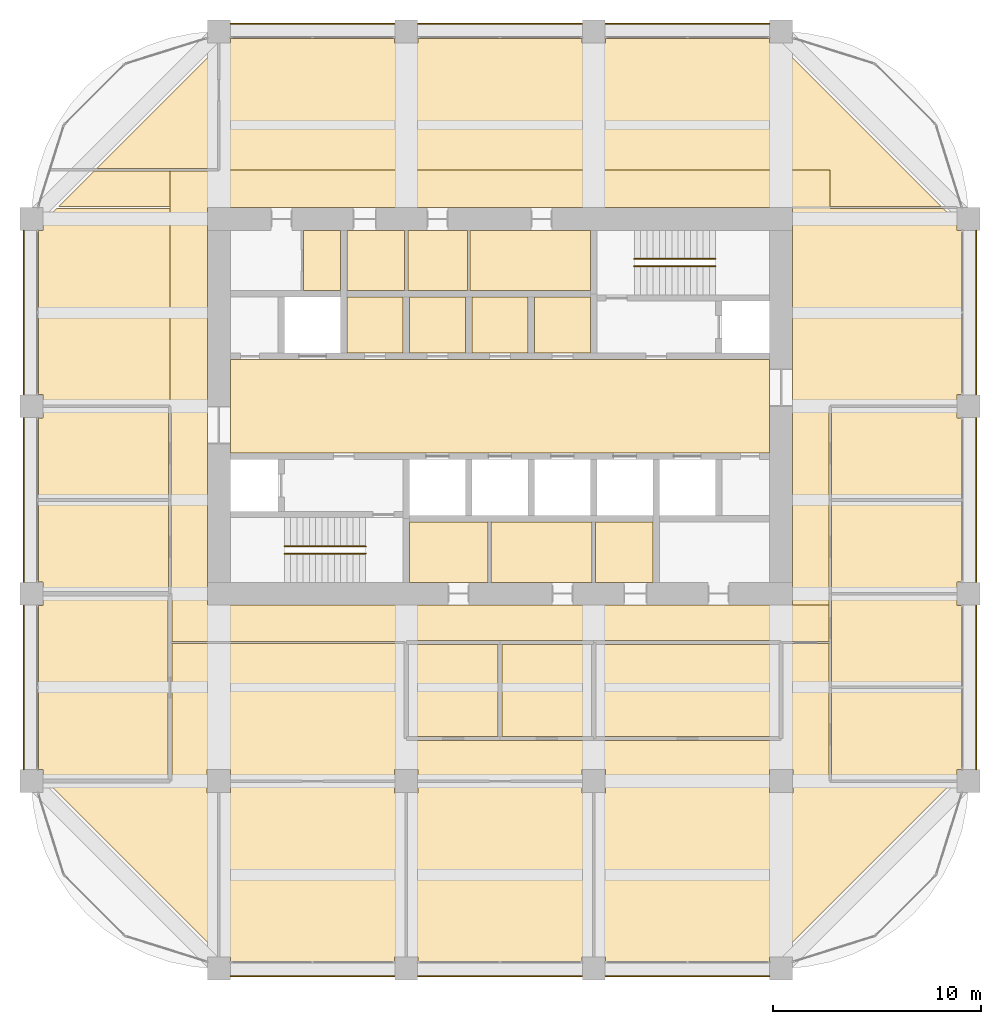
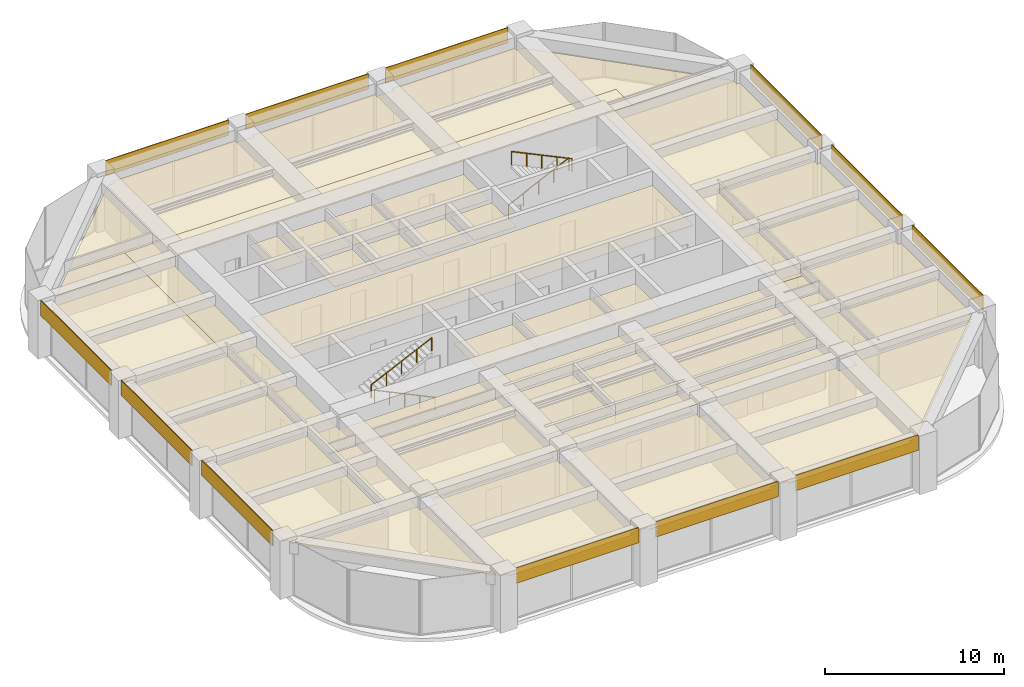
# One storey, part 44 of 44: 43 coverings, 4 railings.
"""IFC4 building model written with IfcOpenShell, lengths in metres."""

import ifcopenshell
import ifcopenshell.guid

model = None  # the IFC model being written
_history = None  # IfcOwnerHistory: only IFC2X3 demands one
_inside = {}  # id of a spatial element -> (the spatial element, [elements in it])
_under = {}  # id of a project, library or spatial element -> (it, [spatial elements below it])
_declared = {}  # id of a project -> (the project, [libraries it declares])
_typed = {}  # id of a type object -> (the type object, [elements of that type])
_made_of = {}  # id of a material, layer set ... -> (it, [elements and type objects made of it])


def new_model(schema):
    """Start an empty IFC model of exactly this schema.

    Asked for "IFC4X3", IfcOpenShell would pick the latest addendum, in which some entities
    have other attributes; the version numbers below select the first issue.
    IFC2X3 requires an IfcOwnerHistory on every rooted entity: one is made here for all.
    """
    global model, _history
    if schema == "IFC4X3":
        model = ifcopenshell.file(schema_version=(4, 3, 0, 0))
    else:
        model = ifcopenshell.file(schema=schema)
    _inside.clear()
    _under.clear()
    _declared.clear()
    _typed.clear()
    _made_of.clear()
    _history = None
    if model.schema == "IFC2X3":
        org = make("IfcOrganization", Name="unknown")
        user = make(
            "IfcPersonAndOrganization",
            ThePerson=make("IfcPerson", FamilyName="unknown"),
            TheOrganization=org,
        )
        app = make(
            "IfcApplication",
            ApplicationDeveloper=org,
            Version="unknown",
            ApplicationFullName="unknown",
            ApplicationIdentifier="unknown",
        )
        _history = make(
            "IfcOwnerHistory",
            OwningUser=user,
            OwningApplication=app,
            ChangeAction="ADDED",
            CreationDate=0,
        )
    return model


def make(cls, **values):
    """One entity of the class cls with the attributes given. An attribute that is None is left unset."""
    return model.create_entity(
        cls, **{name: value for name, value in values.items() if value is not None}
    )


def rooted(cls, **values):
    """An entity with a GlobalId (a new one), such as an element, a storey or a relation."""
    return make(cls, GlobalId=ifcopenshell.guid.new(), OwnerHistory=_history, **values)


def si_unit(unit_type, name, prefix=None):
    """IfcSIUnit, for example si_unit("LENGTHUNIT", "METRE", prefix="MILLI")."""
    return make("IfcSIUnit", UnitType=unit_type, Prefix=prefix, Name=name)


def assignment(units):
    """IfcUnitAssignment: the units of a project."""
    return None if units is None else make("IfcUnitAssignment", Units=units)


def point(xyz):
    """IfcCartesianPoint."""
    return None if xyz is None else make("IfcCartesianPoint", Coordinates=xyz)


def direction(xyz):
    """IfcDirection."""
    return None if xyz is None else make("IfcDirection", DirectionRatios=xyz)


def frame(location, z_axis=None, x_axis=None):
    """IfcAxis2Placement3D, a coordinate frame: its origin and axes. An axis left out is left unset."""
    return make(
        "IfcAxis2Placement3D",
        Location=point(location),
        Axis=direction(z_axis),
        RefDirection=direction(x_axis),
    )


def frame_2d(location, x_axis=None):
    """IfcAxis2Placement2D, a coordinate frame in the plane: its origin and x axis."""
    return make(
        "IfcAxis2Placement2D", Location=point(location), RefDirection=direction(x_axis)
    )


def origin():
    """The frame at (0, 0, 0) with its axes left unset."""
    return frame((0.0, 0.0, 0.0))


def origin_2d():
    """The frame at (0, 0) in the plane with its x axis left unset."""
    return frame_2d((0.0, 0.0))


def place(relative_to, where):
    """IfcLocalPlacement: puts the frame where relative to a parent placement (None: the world)."""
    return make(
        "IfcLocalPlacement", PlacementRelTo=relative_to, RelativePlacement=where
    )


def context(
    kind, dimensions, precision=None, world=None, true_north=None, identifier=None
):
    """IfcGeometricRepresentationContext, for example the 3D "Model" context."""
    return make(
        "IfcGeometricRepresentationContext",
        ContextIdentifier=identifier,
        ContextType=kind,
        CoordinateSpaceDimension=dimensions,
        Precision=precision,
        WorldCoordinateSystem=world,
        TrueNorth=true_north,
    )


def subcontext(parent, identifier, kind, view, scale=None):
    """IfcGeometricRepresentationSubContext, for example "Body" below "Model"."""
    return make(
        "IfcGeometricRepresentationSubContext",
        ContextIdentifier=identifier,
        ContextType=kind,
        ParentContext=parent,
        TargetScale=scale,
        TargetView=view,
    )


def project(units=None, contexts=None):
    """IfcProject with its units and contexts."""
    return rooted(
        "IfcProject",
        Name="project",
        RepresentationContexts=contexts,
        UnitsInContext=assignment(units),
    )


def spatial(cls, under=None, at=None, **own):
    """A site, building, storey or space (cls), placed at a placement, below another one or the project."""
    s = rooted(cls, ObjectPlacement=at, **own)
    if under is not None:
        _under.setdefault(under.id(), (under, []))[1].append(s)
    return s


def polyline(points):
    """IfcPolyline through the points."""
    return make("IfcPolyline", Points=[point(p) for p in points])


def profile(cls, at=None, kind="AREA", **sizes):
    """A parametric profile (cls). Its sizes go by their IFC names, for example OverallWidth=200.0."""
    return make(cls, ProfileType=kind, Position=at, **sizes)


def rectangle(**sizes):
    """IfcRectangleProfileDef."""
    return profile("IfcRectangleProfileDef", **sizes)


def circle(**sizes):
    """IfcCircleProfileDef."""
    return profile("IfcCircleProfileDef", **sizes)


def outline(outer, holes=None, kind="AREA"):
    """IfcArbitraryClosedProfileDef: a profile drawn as a closed curve; with holes, ...WithVoids."""
    if holes is None:
        return make("IfcArbitraryClosedProfileDef", ProfileType=kind, OuterCurve=outer)
    return make(
        "IfcArbitraryProfileDefWithVoids",
        ProfileType=kind,
        OuterCurve=outer,
        InnerCurves=holes,
    )


def extrude(swept, where, along, depth):
    """IfcExtrudedAreaSolid: the profile swept, set in the frame where, extruded along a direction by depth."""
    return make(
        "IfcExtrudedAreaSolid",
        SweptArea=swept,
        Position=where,
        ExtrudedDirection=direction(along),
        Depth=depth,
    )


def shape(context_of_items, identifier, shape_type, items):
    """IfcShapeRepresentation: the items that make up one representation, for example the "Body"."""
    return make(
        "IfcShapeRepresentation",
        ContextOfItems=context_of_items,
        RepresentationIdentifier=identifier,
        RepresentationType=shape_type,
        Items=items,
    )


def material(Name=None, Category=None):
    """IfcMaterial."""
    return make("IfcMaterial", Name=Name, Category=Category)


def layer(
    of_material, thickness, ventilated=None, Name=None, Category=None, Priority=None
):
    """IfcMaterialLayer: one layer of a wall or slab, of a material (None: an air gap)."""
    return make(
        "IfcMaterialLayer",
        Material=of_material,
        LayerThickness=thickness,
        IsVentilated=ventilated,
        Name=Name,
        Category=Category,
        Priority=Priority,
    )


def layer_set(layers, Name=None):
    """IfcMaterialLayerSet."""
    return make("IfcMaterialLayerSet", MaterialLayers=layers, LayerSetName=Name)


def made_of(thing, what):
    """Note that an element or type object is made of a material, layer set ...; save() writes the relation."""
    if what is not None:
        _made_of.setdefault(what.id(), (what, []))[1].append(thing)
    return thing


def type_object(cls, material=None, **own):
    """A type object (cls), such as IfcWallType, which elements share."""
    return made_of(rooted(cls, **own), material)


def element(
    cls,
    number,
    at=None,
    inside=None,
    cuts=None,
    type_object=None,
    material=None,
    context=None,
    identifier="Body",
    shape_type=None,
    held_by="IfcProductDefinitionShape",
    body=None,
    shapes=None,
    **own,
):
    """One element of the class cls, such as IfcWall. Its Tag is "e" and its number.

    at: its placement. inside: the storey or other place that contains it. cuts: it is an
    opening in that element (IfcRelVoidsElement). A single representation is given by context,
    identifier, shape_type and body (its items); several are given by shapes. held_by: the class
    of the entity that holds the representations. save() writes the other relations.
    """
    e = rooted(cls, Tag="e%d" % number, ObjectPlacement=at, **own)
    if body is not None:
        shapes = [shape(context, identifier, shape_type, body)]
    if shapes is not None:
        e.Representation = make(held_by, Representations=shapes)
    if inside is not None:
        _inside.setdefault(inside.id(), (inside, []))[1].append(e)
    if cuts is not None:
        rooted(
            "IfcRelVoidsElement", RelatingBuildingElement=cuts, RelatedOpeningElement=e
        )
    if type_object is not None:
        _typed.setdefault(type_object.id(), (type_object, []))[1].append(e)
    return made_of(e, material)


def aggregate(whole, parts):
    """IfcRelAggregates: a whole, such as a stair, and the parts it consists of."""
    return rooted("IfcRelAggregates", RelatingObject=whole, RelatedObjects=parts)


def save(model, path):
    """Write the relations noted so far, then the file.

    IfcRelAggregates (storeys below a building ...), IfcRelContainedInSpatialStructure (elements
    in a storey), IfcRelDefinesByType, IfcRelAssociatesMaterial and IfcRelDeclares: one each for
    every whole, place, type object, material and project.
    """
    for whole, parts in _under.values():
        aggregate(whole, parts)
    for where, things in _inside.values():
        rooted(
            "IfcRelContainedInSpatialStructure",
            RelatedElements=things,
            RelatingStructure=where,
        )
    for kind, things in _typed.values():
        rooted("IfcRelDefinesByType", RelatedObjects=things, RelatingType=kind)
    for what, things in _made_of.values():
        rooted("IfcRelAssociatesMaterial", RelatedObjects=things, RelatingMaterial=what)
    for by, libraries in _declared.values():
        rooted("IfcRelDeclares", RelatingContext=by, RelatedDefinitions=libraries)
    model.write(path)


model = new_model("IFC4")

# Units and contexts
model_context = context("Model", 3, precision=1e-05, world=origin(), true_north=direction((0.0, 1.0)))
body_context = subcontext(model_context, "Body", "Model", "MODEL_VIEW")
ifc_project = project(units=[si_unit("LENGTHUNIT", "METRE"), si_unit("AREAUNIT", "SQUARE_METRE"), si_unit("VOLUMEUNIT", "CUBIC_METRE"), si_unit("PLANEANGLEUNIT", "RADIAN"), si_unit("MASSUNIT", "GRAM", prefix="KILO")], contexts=[model_context])

# Site, building, storey
site_placement = place(None, origin())
site = spatial("IfcSite", under=ifc_project, at=site_placement, CompositionType="ELEMENT")
building_placement = place(site_placement, origin())
building = spatial("IfcBuilding", under=site, at=building_placement, Name="Zorevar Civic Tower", CompositionType="ELEMENT")
storey_placement = place(building_placement, frame((0.0, 0.0, 263.39990234375)))
storey = spatial("IfcBuildingStorey", under=building, at=storey_placement, Name="L64", CompositionType="ELEMENT", Elevation=263.39990234375)

# Railings
ifc_material_1 = material(Name="Black steel handrail", Category="steel")
railing_type = type_object("IfcRailingType", Name="Handrail HR1 900", PredefinedType="HANDRAIL", material=ifc_material_1)
railing_1_placement = place(storey_placement, frame((25.050048828125, 19.925048828125, 0.14306640625)))
element("IfcRailing", 1, at=railing_1_placement, inside=storey, type_object=railing_type, Name="Handrail HR1 ST1 L64", PredefinedType="HANDRAIL", context=body_context, shape_type="SweptSolid", body=[
    extrude(circle(Radius=0.02392578125, at=origin_2d()), frame((0.0, 0.0, 0.8759765625), z_axis=(-0.902885590262, 0.0, 0.429880926418), x_axis=(0.0, -1.0, 0.0)), (0.0, 0.0, 1.0), 4.319580078125),
    extrude(circle(Radius=0.02099609375, at=origin_2d()), origin(), (0.0, 0.0, 1.0), 0.851806640625),
    extrude(circle(Radius=0.02099609375, at=origin_2d()), frame((-0.97509765625, 0.0, 0.46435546875)), (0.0, 0.0, 1.0), 0.851806640625),
    extrude(circle(Radius=0.02099609375, at=origin_2d()), frame((-1.9501953125, 0.0, 0.928466796875)), (0.0, 0.0, 1.0), 0.851806640625),
    extrude(circle(Radius=0.02099609375, at=origin_2d()), frame((-2.925048828125, 0.0, 1.392578125)), (0.0, 0.0, 1.0), 0.851806640625),
    extrude(circle(Radius=0.02099609375, at=origin_2d()), frame((-3.900146484375, 0.0, 1.85693359375)), (0.0, 0.0, 1.0), 0.851806640625),
])
for number, where, name in (
    (2, (21.14990234375, 20.27490234375, 2.14306640625), "Handrail HR1 ST1 L64"),
    (3, (37.949951171875, 34.074951171875, 0.14306640625), "Handrail HR1 ST2 L64"),
):
    element("IfcRailing", number, at=place(storey_placement, frame(where)), inside=storey, type_object=railing_type, Name=name, PredefinedType="HANDRAIL", context=body_context, shape_type="SweptSolid", body=[
        extrude(circle(Radius=0.02392578125, at=origin_2d()), frame((0.0, 0.0, 0.8759765625), z_axis=(0.902885590262, 0.0, 0.429880926418), x_axis=(0.0, 1.0, 0.0)), (0.0, 0.0, 1.0), 4.319580078125),
        extrude(circle(Radius=0.02099609375, at=origin_2d()), origin(), (0.0, 0.0, 1.0), 0.851806640625),
        extrude(circle(Radius=0.02099609375, at=origin_2d()), frame((0.97509765625, 0.0, 0.46435546875)), (0.0, 0.0, 1.0), 0.851806640625),
        extrude(circle(Radius=0.02099609375, at=origin_2d()), frame((1.9501953125, 0.0, 0.928466796875)), (0.0, 0.0, 1.0), 0.851806640625),
        extrude(circle(Radius=0.02099609375, at=origin_2d()), frame((2.925048828125, 0.0, 1.392578125)), (0.0, 0.0, 1.0), 0.851806640625),
        extrude(circle(Radius=0.02099609375, at=origin_2d()), frame((3.900146484375, 0.0, 1.85693359375)), (0.0, 0.0, 1.0), 0.851806640625),
    ])
railing_2_placement = place(storey_placement, frame((41.85009765625, 33.72509765625, 2.14306640625)))
element("IfcRailing", 4, at=railing_2_placement, inside=storey, type_object=railing_type, Name="Handrail HR1 ST2 L64", PredefinedType="HANDRAIL", context=body_context, shape_type="SweptSolid", body=[
    extrude(circle(Radius=0.02392578125, at=origin_2d()), frame((0.0, 0.0, 0.8759765625), z_axis=(-0.902885590262, 0.0, 0.429880926418), x_axis=(0.0, -1.0, 0.0)), (0.0, 0.0, 1.0), 4.319580078125),
    extrude(circle(Radius=0.02099609375, at=origin_2d()), origin(), (0.0, 0.0, 1.0), 0.851806640625),
    extrude(circle(Radius=0.02099609375, at=origin_2d()), frame((-0.97509765625, 0.0, 0.46435546875)), (0.0, 0.0, 1.0), 0.851806640625),
    extrude(circle(Radius=0.02099609375, at=origin_2d()), frame((-1.9501953125, 0.0, 0.928466796875)), (0.0, 0.0, 1.0), 0.851806640625),
    extrude(circle(Radius=0.02099609375, at=origin_2d()), frame((-2.925048828125, 0.0, 1.392578125)), (0.0, 0.0, 1.0), 0.851806640625),
    extrude(circle(Radius=0.02099609375, at=origin_2d()), frame((-3.900146484375, 0.0, 1.85693359375)), (0.0, 0.0, 1.0), 0.851806640625),
])

# Coverings
ifc_material_2 = material(Name="Moisture-resistant gypsum board")
ifc_layer_1 = layer(ifc_material_2, 0.012451171875)
ifc_layer_set_1 = layer_set([ifc_layer_1], Name="Moisture-resistant ceiling SC3")
covering_type_1 = type_object("IfcCoveringType", Name="Moisture-resistant ceiling SC3", PredefinedType="CEILING", material=ifc_layer_set_1)
covering_1_placement = place(storey_placement, frame((0.0, 0.0, 3.0)))
element("IfcCovering", 5, at=covering_1_placement, inside=storey, type_object=covering_type_1, Name="Ceiling L64-05", PredefinedType="CEILING", context=body_context, shape_type="SweptSolid", body=[
    extrude(outline(polyline([(30.925048828125, 18.550048828125), (30.925048828125, 21.449951171875), (27.14990234375, 21.449951171875), (27.14990234375, 18.550048828125), (30.925048828125, 18.550048828125)])), origin(), (0.0, 0.0, 1.0), 0.0126953125),
])
covering_2_placement = place(storey_placement, frame((0.0, 0.0, 3.0)))
element("IfcCovering", 6, at=covering_2_placement, inside=storey, type_object=covering_type_1, Name="Ceiling L64-06", PredefinedType="CEILING", context=body_context, shape_type="SweptSolid", body=[
    extrude(outline(polyline([(35.925048828125, 18.550048828125), (35.925048828125, 21.449951171875), (31.074951171875, 21.449951171875), (31.074951171875, 18.550048828125), (35.925048828125, 18.550048828125)])), origin(), (0.0, 0.0, 1.0), 0.0126953125),
])
covering_3_placement = place(storey_placement, frame((0.0, 0.0, 3.0)))
element("IfcCovering", 7, at=covering_3_placement, inside=storey, type_object=covering_type_1, Name="Ceiling L64-07", PredefinedType="CEILING", context=body_context, shape_type="SweptSolid", body=[
    extrude(outline(polyline([(38.85009765625, 18.550048828125), (38.85009765625, 21.449951171875), (36.074951171875, 21.449951171875), (36.074951171875, 18.550048828125), (38.85009765625, 18.550048828125)])), origin(), (0.0, 0.0, 1.0), 0.0126953125),
])
covering_4_placement = place(storey_placement, frame((0.0, 0.0, 3.0)))
element("IfcCovering", 8, at=covering_4_placement, inside=storey, type_object=covering_type_1, Name="Ceiling L64-10", PredefinedType="CEILING", context=body_context, shape_type="SweptSolid", body=[
    extrude(outline(polyline([(26.925048828125, 32.550048828125), (26.925048828125, 35.449951171875), (24.14990234375, 35.449951171875), (24.14990234375, 32.550048828125), (26.925048828125, 32.550048828125)])), origin(), (0.0, 0.0, 1.0), 0.0126953125),
])
ifc_material_3 = material(Name="Black anodised aluminium spandrel panel", Category="aluminium")
ifc_layer_2 = layer(ifc_material_3, 0.050048828125)
ifc_layer_set_2 = layer_set([ifc_layer_2], Name="Spandrel cladding SP1")
covering_type_2 = type_object("IfcCoveringType", Name="Spandrel cladding SP1", PredefinedType="CLADDING", material=ifc_layer_set_2)
for number, where, z_axis, x_axis, name in (
    (9, (18.550048828125, -0.375, 2.9501953125), (0.0, 0.0, 1.0), (1.0, 0.0, 0.0), "Spandrel cladding L65"),
    (10, (27.550048828125, -0.375, 2.9501953125), (0.0, 0.0, 1.0), (1.0, 0.0, 0.0), "Spandrel cladding L65"),
    (11, (36.550048828125, -0.375, 2.9501953125), (0.0, 0.0, 1.0), (1.0, 0.0, 0.0), "Spandrel cladding L65"),
    (12, (18.550048828125, 45.375, 2.9501953125), (0.0, 0.0, 1.0), (1.0, 0.0, 0.0), "Spandrel cladding L65"),
    (13, (27.550048828125, 45.375, 2.9501953125), (0.0, 0.0, 1.0), (1.0, 0.0, 0.0), "Spandrel cladding L65"),
    (14, (36.550048828125, 45.375, 2.9501953125), (0.0, 0.0, 1.0), (1.0, 0.0, 0.0), "Spandrel cladding L65"),
    (15, (8.625, 9.550048828125, 2.9501953125), (0.0, 0.0, 1.0), (0.0, 1.0, 0.0), "Spandrel cladding L65"),
    (16, (8.625, 18.550048828125, 2.9501953125), (0.0, 0.0, 1.0), (0.0, 1.0, 0.0), "Spandrel cladding L65"),
    (17, (8.625, 27.550048828125, 2.9501953125), (0.0, 0.0, 1.0), (0.0, 1.0, 0.0), "Spandrel cladding L65"),
    (18, (54.375, 9.550048828125, 2.9501953125), (0.0, 0.0, 1.0), (0.0, 1.0, 0.0), "Spandrel cladding L65"),
    (19, (54.375, 18.550048828125, 2.9501953125), (0.0, 0.0, 1.0), (0.0, 1.0, 0.0), "Spandrel cladding L65"),
    (20, (54.375, 27.550048828125, 2.9501953125), (0.0, 0.0, 1.0), (0.0, 1.0, 0.0), "Spandrel cladding L65"),
):
    element("IfcCovering", number, at=place(storey_placement, frame(where, z_axis=z_axis, x_axis=x_axis)), inside=storey, type_object=covering_type_2, Name=name, PredefinedType="CLADDING", context=body_context, shape_type="SweptSolid", body=[
        extrude(rectangle(XDim=7.89990234375, YDim=0.050048828125, at=frame_2d((3.949951171875, 0.0))), origin(), (0.0, 0.0, 1.0), 1.0498046875),
    ])
ifc_material_4 = material(Name="Mineral fibre tiles on a concealed grid")
ifc_layer_3 = layer(ifc_material_4, 0.02001953125)
ifc_layer_set_3 = layer_set([ifc_layer_3], Name="Suspended ceiling SC1")
covering_type_3 = type_object("IfcCoveringType", Name="Suspended ceiling SC1", PredefinedType="CEILING", material=ifc_layer_set_3)
covering_5_placement = place(storey_placement, frame((0.0, 0.0, 3.0)))
element("IfcCovering", 21, at=covering_5_placement, inside=storey, type_object=covering_type_3, Name="Ceiling L64-08", PredefinedType="CEILING", context=body_context, shape_type="SweptSolid", body=[
    extrude(outline(polyline([(35.85009765625, 32.550048828125), (35.85009765625, 35.449951171875), (30.06005859375, 35.449951171875), (30.06005859375, 32.550048828125), (35.85009765625, 32.550048828125)])), origin(), (0.0, 0.0, 1.0), 0.02001953125),
])
covering_6_placement = place(storey_placement, frame((0.0, 0.0, 3.0)))
element("IfcCovering", 22, at=covering_6_placement, inside=storey, type_object=covering_type_3, Name="Ceiling L64-09", PredefinedType="CEILING", context=body_context, shape_type="SweptSolid", body=[
    extrude(outline(polyline([(29.93994140625, 32.550048828125), (29.93994140625, 35.449951171875), (27.074951171875, 35.449951171875), (27.074951171875, 32.550048828125), (29.93994140625, 32.550048828125)])), origin(), (0.0, 0.0, 1.0), 0.02001953125),
])
covering_7_placement = place(storey_placement, frame((0.0, 0.0, 3.0)))
element("IfcCovering", 23, at=covering_7_placement, inside=storey, type_object=covering_type_3, Name="Ceiling L64-12", PredefinedType="CEILING", context=body_context, shape_type="SweptSolid", body=[
    extrude(outline(polyline([(23.85009765625, 32.550048828125), (23.85009765625, 35.449951171875), (22.06005859375, 35.449951171875), (22.06005859375, 32.550048828125), (23.85009765625, 32.550048828125)])), origin(), (0.0, 0.0, 1.0), 0.02001953125),
])
covering_8_placement = place(storey_placement, frame((0.0, 0.0, 3.0)))
element("IfcCovering", 24, at=covering_8_placement, inside=storey, type_object=covering_type_3, Name="Ceiling L64-16", PredefinedType="CEILING", context=body_context, shape_type="SweptSolid", body=[
    extrude(outline(polyline([(44.449951171875, 24.75), (44.449951171875, 29.25), (18.550048828125, 29.25), (18.550048828125, 24.75), (44.449951171875, 24.75)])), origin(), (0.0, 0.0, 1.0), 0.02001953125),
])
covering_9_placement = place(storey_placement, frame((0.0, 0.0, 3.0)))
element("IfcCovering", 25, at=covering_9_placement, inside=storey, type_object=covering_type_3, Name="Ceiling L64-17", PredefinedType="CEILING", context=body_context, shape_type="SweptSolid", body=[
    extrude(outline(polyline([(35.85009765625, 29.550048828125), (35.85009765625, 32.25), (33.14990234375, 32.25), (33.14990234375, 29.550048828125), (35.85009765625, 29.550048828125)])), origin(), (0.0, 0.0, 1.0), 0.02001953125),
])
covering_10_placement = place(storey_placement, frame((0.0, 0.0, 3.0)))
element("IfcCovering", 26, at=covering_10_placement, inside=storey, type_object=covering_type_3, Name="Ceiling L64-18", PredefinedType="CEILING", context=body_context, shape_type="SweptSolid", body=[
    extrude(outline(polyline([(32.85009765625, 29.550048828125), (32.85009765625, 32.25), (30.14990234375, 32.25), (30.14990234375, 29.550048828125), (32.85009765625, 29.550048828125)])), origin(), (0.0, 0.0, 1.0), 0.02001953125),
])
covering_11_placement = place(storey_placement, frame((0.0, 0.0, 3.0)))
element("IfcCovering", 27, at=covering_11_placement, inside=storey, type_object=covering_type_3, Name="Ceiling L64-19", PredefinedType="CEILING", context=body_context, shape_type="SweptSolid", body=[
    extrude(outline(polyline([(29.85009765625, 29.550048828125), (29.85009765625, 32.25), (27.14990234375, 32.25), (27.14990234375, 29.550048828125), (29.85009765625, 29.550048828125)])), origin(), (0.0, 0.0, 1.0), 0.02001953125),
])
covering_12_placement = place(storey_placement, frame((0.0, 0.0, 3.0)))
element("IfcCovering", 28, at=covering_12_placement, inside=storey, type_object=covering_type_3, Name="Ceiling L64-20", PredefinedType="CEILING", context=body_context, shape_type="SweptSolid", body=[
    extrude(outline(polyline([(26.85009765625, 29.550048828125), (26.85009765625, 32.25), (24.14990234375, 32.25), (24.14990234375, 29.550048828125), (26.85009765625, 29.550048828125)])), origin(), (0.0, 0.0, 1.0), 0.02001953125),
])
covering_13_placement = place(storey_placement, frame((0.0, 0.0, 3.0)))
element("IfcCovering", 29, at=covering_13_placement, inside=storey, type_object=covering_type_3, Name="Ceiling L64-21", PredefinedType="CEILING", context=body_context, shape_type="SweptSolid", body=[
    extrude(outline(polyline([(18.06005859375, 8.43994140625), (18.56005859375, 8.43994140625), (18.56005859375, 8.93994140625), (26.43994140625, 8.93994140625), (26.43994140625, 8.43994140625), (26.93994140625, 8.43994140625), (26.93994140625, 0.56005859375), (26.43994140625, 0.56005859375), (26.43994140625, 0.35009765625), (18.56005859375, 0.35009765625), (18.56005859375, 0.56005859375), (18.147216796875, 0.56005859375), (18.06005859375, 0.647216796875), (18.06005859375, 8.43994140625)])), origin(), (0.0, 0.0, 1.0), 0.02001953125),
])
covering_14_placement = place(storey_placement, frame((0.0, 0.0, 3.0)))
element("IfcCovering", 30, at=covering_14_placement, inside=storey, type_object=covering_type_3, Name="Ceiling L64-22", PredefinedType="CEILING", context=body_context, shape_type="SweptSolid", body=[
    extrude(outline(polyline([(27.06005859375, 0.56005859375), (27.06005859375, 8.43994140625), (27.56005859375, 8.43994140625), (27.56005859375, 8.93994140625), (35.43994140625, 8.93994140625), (35.43994140625, 8.43994140625), (35.93994140625, 8.43994140625), (35.93994140625, 0.56005859375), (35.43994140625, 0.56005859375), (35.43994140625, 0.35009765625), (27.56005859375, 0.35009765625), (27.56005859375, 0.56005859375), (27.06005859375, 0.56005859375)])), origin(), (0.0, 0.0, 1.0), 0.02001953125),
])
covering_15_placement = place(storey_placement, frame((0.0, 0.0, 3.0)))
element("IfcCovering", 31, at=covering_15_placement, inside=storey, type_object=covering_type_3, Name="Ceiling L64-23", PredefinedType="CEILING", context=body_context, shape_type="SweptSolid", body=[
    extrude(outline(polyline([(36.10009765625, 11.14990234375), (36.10009765625, 15.550048828125), (44.89990234375, 15.550048828125), (44.89990234375, 11.14990234375), (36.10009765625, 11.14990234375)])), origin(), (0.0, 0.0, 1.0), 0.02001953125),
])
covering_16_placement = place(storey_placement, frame((0.0, 0.0, 3.0)))
element("IfcCovering", 32, at=covering_16_placement, inside=storey, type_object=covering_type_3, Name="Ceiling L64-24", PredefinedType="CEILING", context=body_context, shape_type="SweptSolid", body=[
    extrude(outline(polyline([(27.10009765625, 11.14990234375), (27.10009765625, 15.550048828125), (31.39990234375, 15.550048828125), (31.39990234375, 11.14990234375), (27.10009765625, 11.14990234375)])), origin(), (0.0, 0.0, 1.0), 0.02001953125),
])
covering_17_placement = place(storey_placement, frame((0.0, 0.0, 3.0)))
element("IfcCovering", 33, at=covering_17_placement, inside=storey, type_object=covering_type_3, Name="Ceiling L64-25", PredefinedType="CEILING", context=body_context, shape_type="SweptSolid", body=[
    extrude(outline(polyline([(31.60009765625, 15.550048828125), (35.89990234375, 15.550048828125), (35.89990234375, 11.14990234375), (31.60009765625, 11.14990234375), (31.60009765625, 15.550048828125)])), origin(), (0.0, 0.0, 1.0), 0.02001953125),
])
covering_18_placement = place(storey_placement, frame((0.0, 0.0, 3.0)))
element("IfcCovering", 34, at=covering_18_placement, inside=storey, type_object=covering_type_3, Name="Ceiling L64-26", PredefinedType="CEILING", context=body_context, shape_type="SweptSolid", body=[
    extrude(outline(polyline([(9.35009765625, 9.56005859375), (9.35009765625, 17.43994140625), (9.56005859375, 17.43994140625), (9.56005859375, 17.89990234375), (15.550048828125, 17.89990234375), (15.550048828125, 9.10009765625), (9.607177734375, 9.10009765625), (9.56005859375, 9.147216796875), (9.56005859375, 9.56005859375), (9.35009765625, 9.56005859375)])), origin(), (0.0, 0.0, 1.0), 0.02001953125),
])
covering_19_placement = place(storey_placement, frame((0.0, 0.0, 3.0)))
element("IfcCovering", 35, at=covering_19_placement, inside=storey, type_object=covering_type_3, Name="Ceiling L64-27", PredefinedType="CEILING", context=body_context, shape_type="SweptSolid", body=[
    extrude(outline(polyline([(15.590087890625, 18.10009765625), (9.56005859375, 18.10009765625), (9.56005859375, 18.56005859375), (9.35009765625, 18.56005859375), (9.35009765625, 22.43994140625), (15.590087890625, 22.43994140625), (15.590087890625, 18.10009765625)])), origin(), (0.0, 0.0, 1.0), 0.02001953125),
])
covering_20_placement = place(storey_placement, frame((0.0, 0.0, 3.0)))
element("IfcCovering", 36, at=covering_20_placement, inside=storey, type_object=covering_type_3, Name="Ceiling L64-28", PredefinedType="CEILING", context=body_context, shape_type="SweptSolid", body=[
    extrude(outline(polyline([(15.590087890625, 22.56005859375), (9.35009765625, 22.56005859375), (9.35009765625, 26.43994140625), (9.56005859375, 26.43994140625), (9.56005859375, 26.93994140625), (15.590087890625, 26.93994140625), (15.590087890625, 22.56005859375)])), origin(), (0.0, 0.0, 1.0), 0.02001953125),
])
covering_21_placement = place(storey_placement, frame((0.0, 0.0, 3.0)))
element("IfcCovering", 37, at=covering_21_placement, inside=storey, type_object=covering_type_3, Name="Ceiling L64-29", PredefinedType="CEILING", context=body_context, shape_type="SweptSolid", body=[
    extrude(outline(polyline([(53.64990234375, 13.43994140625), (53.64990234375, 9.56005859375), (53.43994140625, 9.56005859375), (53.43994140625, 9.147216796875), (53.352783203125, 9.06005859375), (47.409912109375, 9.06005859375), (47.409912109375, 13.43994140625), (53.64990234375, 13.43994140625)])), origin(), (0.0, 0.0, 1.0), 0.02001953125),
])
covering_22_placement = place(storey_placement, frame((0.0, 0.0, 3.0)))
element("IfcCovering", 38, at=covering_22_placement, inside=storey, type_object=covering_type_3, Name="Ceiling L64-30", PredefinedType="CEILING", context=body_context, shape_type="SweptSolid", body=[
    extrude(outline(polyline([(47.409912109375, 17.93994140625), (53.43994140625, 17.93994140625), (53.43994140625, 17.43994140625), (53.64990234375, 17.43994140625), (53.64990234375, 13.56005859375), (47.409912109375, 13.56005859375), (47.409912109375, 17.93994140625)])), origin(), (0.0, 0.0, 1.0), 0.02001953125),
])
covering_23_placement = place(storey_placement, frame((0.0, 0.0, 3.0)))
element("IfcCovering", 39, at=covering_23_placement, inside=storey, type_object=covering_type_3, Name="Ceiling L64-31", PredefinedType="CEILING", context=body_context, shape_type="SweptSolid", body=[
    extrude(outline(polyline([(47.409912109375, 22.43994140625), (53.64990234375, 22.43994140625), (53.64990234375, 18.56005859375), (53.43994140625, 18.56005859375), (53.43994140625, 18.06005859375), (47.409912109375, 18.06005859375), (47.409912109375, 22.43994140625)])), origin(), (0.0, 0.0, 1.0), 0.02001953125),
])
covering_24_placement = place(storey_placement, frame((0.0, 0.0, 3.0)))
element("IfcCovering", 40, at=covering_24_placement, inside=storey, type_object=covering_type_3, Name="Ceiling L64-32", PredefinedType="CEILING", context=body_context, shape_type="SweptSolid", body=[
    extrude(outline(polyline([(47.409912109375, 26.93994140625), (53.43994140625, 26.93994140625), (53.43994140625, 26.43994140625), (53.64990234375, 26.43994140625), (53.64990234375, 22.56005859375), (47.409912109375, 22.56005859375), (47.409912109375, 26.93994140625)])), origin(), (0.0, 0.0, 1.0), 0.02001953125),
])
covering_25_placement = place(storey_placement, frame((0.0, 0.0, 3.0)))
element("IfcCovering", 41, at=covering_25_placement, inside=storey, type_object=covering_type_3, Name="Ceiling L64-33", PredefinedType="CEILING", context=body_context, shape_type="SweptSolid", body=[
    extrude(outline(polyline([(17.93994140625, 38.409912109375), (12.1171875, 38.409912109375), (17.93994140625, 44.23291015625), (17.93994140625, 38.409912109375)])), origin(), (0.0, 0.0, 1.0), 0.02001953125),
])
covering_26_placement = place(storey_placement, frame((0.0, 0.0, 3.0)))
element("IfcCovering", 42, at=covering_26_placement, inside=storey, type_object=covering_type_3, Name="Ceiling L64-34", PredefinedType="CEILING", context=body_context, shape_type="SweptSolid", body=[
    extrude(outline(polyline([(15.64990234375, 27.0), (15.64990234375, 38.2900390625), (18.0, 38.2900390625), (18.0, 38.35009765625), (47.35009765625, 38.35009765625), (47.35009765625, 36.550048828125), (17.449951171875, 36.550048828125), (17.449951171875, 17.449951171875), (47.2900390625, 17.449951171875), (47.2900390625, 15.699951171875), (45.050048828125, 15.699951171875), (45.050048828125, 15.64990234375), (45.0, 15.64990234375), (45.0, 15.75), (27.0, 15.75), (27.0, 15.64990234375), (26.949951171875, 15.64990234375), (26.949951171875, 15.699951171875), (15.75, 15.699951171875), (15.75, 18.0), (15.7099609375, 18.0), (15.7099609375, 27.0), (15.64990234375, 27.0)])), origin(), (0.0, 0.0, 1.0), 0.02001953125),
])
covering_27_placement = place(storey_placement, frame((0.0, 0.0, 3.0)))
element("IfcCovering", 43, at=covering_27_placement, inside=storey, type_object=covering_type_3, Name="Ceiling L64-35", PredefinedType="CEILING", context=body_context, shape_type="SweptSolid", body=[
    extrude(outline(polyline([(47.2900390625, 27.0), (47.2900390625, 17.449951171875), (45.550048828125, 17.449951171875), (45.550048828125, 36.550048828125), (47.35009765625, 36.550048828125), (47.35009765625, 36.5), (52.79296875, 36.5), (53.43994140625, 35.852783203125), (53.43994140625, 35.43994140625), (53.64990234375, 35.43994140625), (53.64990234375, 27.56005859375), (53.43994140625, 27.56005859375), (53.43994140625, 27.06005859375), (47.35009765625, 27.06005859375), (47.35009765625, 27.0), (47.2900390625, 27.0)])), origin(), (0.0, 0.0, 1.0), 0.02001953125),
])
covering_28_placement = place(storey_placement, frame((0.0, 0.0, 3.0)))
element("IfcCovering", 44, at=covering_28_placement, inside=storey, type_object=covering_type_3, Name="Ceiling L64-36", PredefinedType="CEILING", context=body_context, shape_type="SweptSolid", body=[
    extrude(outline(polyline([(47.35009765625, 38.35009765625), (18.06005859375, 38.35009765625), (18.06005859375, 44.352783203125), (18.147216796875, 44.43994140625), (18.56005859375, 44.43994140625), (18.56005859375, 44.64990234375), (26.43994140625, 44.64990234375), (26.43994140625, 44.43994140625), (27.56005859375, 44.43994140625), (27.56005859375, 44.64990234375), (35.43994140625, 44.64990234375), (35.43994140625, 44.43994140625), (36.56005859375, 44.43994140625), (36.56005859375, 44.64990234375), (44.43994140625, 44.64990234375), (44.43994140625, 44.43994140625), (44.852783203125, 44.43994140625), (52.69287109375, 36.60009765625), (47.35009765625, 36.60009765625), (47.35009765625, 38.35009765625)])), origin(), (0.0, 0.0, 1.0), 0.02001953125),
])
covering_29_placement = place(storey_placement, frame((0.0, 0.0, 3.0)))
element("IfcCovering", 45, at=covering_29_placement, inside=storey, type_object=covering_type_3, Name="Ceiling L64-37", PredefinedType="CEILING", context=body_context, shape_type="SweptSolid", body=[
    extrude(outline(polyline([(15.64990234375, 38.2900390625), (15.64990234375, 36.60009765625), (10.30712890625, 36.60009765625), (11.9970703125, 38.2900390625), (15.64990234375, 38.2900390625)])), origin(), (0.0, 0.0, 1.0), 0.02001953125),
])
covering_30_placement = place(storey_placement, frame((0.0, 0.0, 3.0)))
element("IfcCovering", 46, at=covering_30_placement, inside=storey, type_object=covering_type_3, Name="Ceiling L64-38", PredefinedType="CEILING", context=body_context, shape_type="SweptSolid", body=[
    extrude(outline(polyline([(15.64990234375, 8.89990234375), (15.64990234375, 9.0), (15.75, 9.0), (15.75, 15.60009765625), (26.89990234375, 15.60009765625), (26.89990234375, 11.050048828125), (27.0, 11.050048828125), (27.0, 10.949951171875), (45.0, 10.949951171875), (45.0, 11.050048828125), (45.10009765625, 11.050048828125), (45.10009765625, 15.60009765625), (47.2900390625, 15.60009765625), (47.2900390625, 9.0), (47.35009765625, 9.0), (47.35009765625, 8.93994140625), (53.23291015625, 8.93994140625), (44.852783203125, 0.56005859375), (44.43994140625, 0.56005859375), (44.43994140625, 0.35009765625), (36.56005859375, 0.35009765625), (36.56005859375, 0.56005859375), (36.06005859375, 0.56005859375), (36.06005859375, 8.43994140625), (36.56005859375, 8.43994140625), (36.56005859375, 9.56005859375), (35.43994140625, 9.56005859375), (35.43994140625, 9.06005859375), (27.56005859375, 9.06005859375), (27.56005859375, 9.56005859375), (26.43994140625, 9.56005859375), (26.43994140625, 9.06005859375), (18.56005859375, 9.06005859375), (18.56005859375, 9.56005859375), (17.43994140625, 9.56005859375), (17.43994140625, 8.43994140625), (17.93994140625, 8.43994140625), (17.93994140625, 0.76708984375), (9.80712890625, 8.89990234375), (15.64990234375, 8.89990234375)]), holes=[polyline([(45.56005859375, 8.43994140625), (45.56005859375, 9.56005859375), (44.43994140625, 9.56005859375), (44.43994140625, 8.43994140625), (45.56005859375, 8.43994140625)])]), origin(), (0.0, 0.0, 1.0), 0.02001953125),
])
covering_31_placement = place(storey_placement, frame((0.0, 0.0, 3.0)))
element("IfcCovering", 47, at=covering_31_placement, inside=storey, type_object=covering_type_3, Name="Ceiling L64-39", PredefinedType="CEILING", context=body_context, shape_type="SweptSolid", body=[
    extrude(outline(polyline([(9.35009765625, 27.56005859375), (9.35009765625, 35.43994140625), (9.56005859375, 35.43994140625), (9.56005859375, 35.852783203125), (10.20703125, 36.5), (15.64990234375, 36.5), (15.64990234375, 27.06005859375), (9.56005859375, 27.06005859375), (9.56005859375, 27.56005859375), (9.35009765625, 27.56005859375)])), origin(), (0.0, 0.0, 1.0), 0.02001953125),
])

save(model, "model.ifc")
